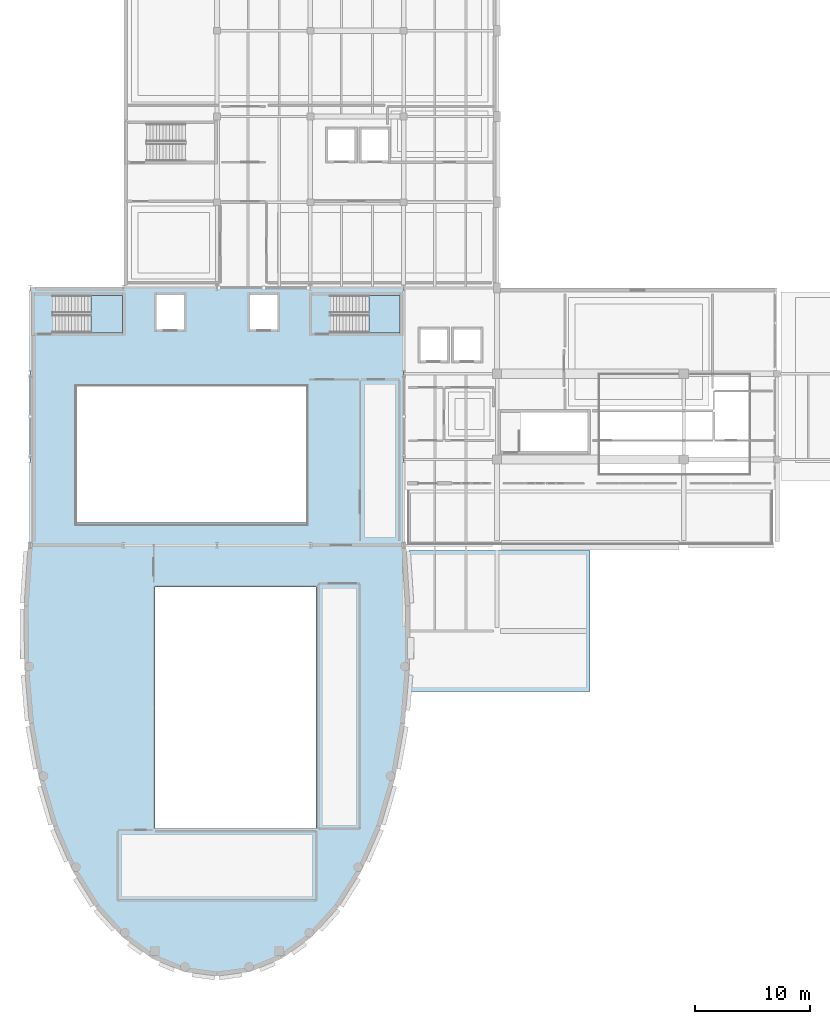
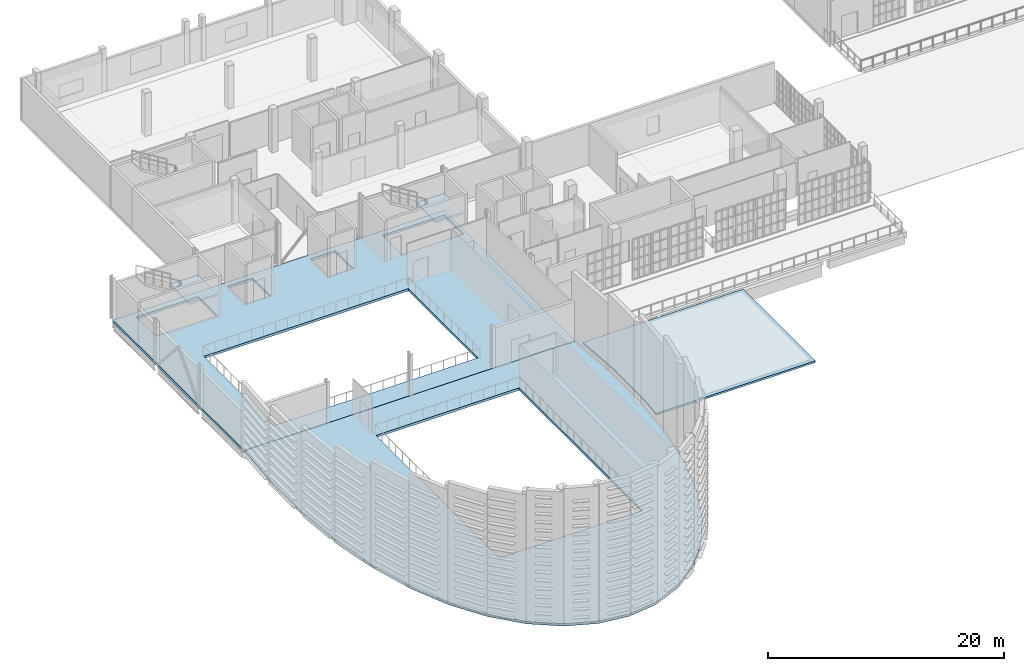
# One storey, part 34 of 56: 5 slabs, 2 elements without a shape of their own.
"""IFC4 building model written with IfcOpenShell, lengths in metres."""

from ifc_helpers import new_model, si_unit, direction, frame, origin, place, context, subcontext, project, spatial, polyline, outline, extrude, material, layer, layer_set, type_object, element, aggregate, save


model = new_model("IFC4")

# Units and contexts
model_context = context("Model", 3, precision=1e-05, world=origin(), true_north=direction((0.0, 1.0)))
body_context = subcontext(model_context, "Body", "Model", "MODEL_VIEW")
ifc_project = project(units=[si_unit("LENGTHUNIT", "METRE"), si_unit("AREAUNIT", "SQUARE_METRE"), si_unit("VOLUMEUNIT", "CUBIC_METRE"), si_unit("PLANEANGLEUNIT", "RADIAN"), si_unit("MASSUNIT", "GRAM", prefix="KILO")], contexts=[model_context])

# Site, building, storey
site_placement = place(None, origin())
site = spatial("IfcSite", under=ifc_project, at=site_placement, CompositionType="ELEMENT")
building_placement = place(site_placement, origin())
building = spatial("IfcBuilding", under=site, at=building_placement, Name="Kaelora Sail Theatre", CompositionType="ELEMENT")
storey_placement = place(building_placement, frame((0.0, 0.0, 14.699951171875)))
storey = spatial("IfcBuildingStorey", under=building, at=storey_placement, Name="L03", CompositionType="ELEMENT", Elevation=14.699951171875)

# Stair, slab
ifc_material_1 = material(Name="Concrete C40/50", Category="concrete")
stair_type = type_object("IfcStairType", Name="ARC-ST-ESC150", PredefinedType="HALF_TURN_STAIR", material=ifc_material_1)
stair_1_placement = place(storey_placement, origin())
stair_1 = element("IfcStair", 1, at=stair_1_placement, inside=storey, type_object=stair_type, Name="L03 ST-K1", PredefinedType="HALF_TURN_STAIR")
ifc_material_2 = material(Name="Concrete C40/50", Category="concrete")
ifc_layer_1 = layer(ifc_material_2, 0.219970703125)
ifc_layer_set_1 = layer_set([ifc_layer_1], Name="Concrete C40/50")
slab_type_1 = type_object("IfcSlabType", Name="ARC-SLB-LND220", PredefinedType="LANDING", material=ifc_layer_set_1)
slab_1_placement = place(storey_placement, frame((0.0, 0.0, 2.050048828125)))
slab_1 = element("IfcSlab", 2, at=slab_1_placement, type_object=slab_type_1, Name="ST-K1 landing 1", PredefinedType="LANDING", context=body_context, shape_type="SweptSolid", body=[
    extrude(outline(polyline([(31.070068359375, 79.449951171875), (33.800048828125, 79.449951171875), (33.800048828125, 82.699951171875), (31.070068359375, 82.699951171875), (31.070068359375, 79.449951171875)])), origin(), (0.0, 0.0, 1.0), 0.199951171875),
])
aggregate(stair_1, [slab_1])

stair_2_placement = place(storey_placement, origin())
stair_2 = element("IfcStair", 3, at=stair_2_placement, inside=storey, type_object=stair_type, Name="L03 ST-K5", PredefinedType="HALF_TURN_STAIR")
slab_2_placement = place(storey_placement, frame((0.0, 0.0, 2.050048828125)))
slab_2 = element("IfcSlab", 4, at=slab_2_placement, type_object=slab_type_1, Name="ST-K5 landing 1", PredefinedType="LANDING", context=body_context, shape_type="SweptSolid", body=[
    extrude(outline(polyline([(55.169921875, 79.449951171875), (57.89990234375, 79.449951171875), (57.89990234375, 82.699951171875), (55.169921875, 82.699951171875), (55.169921875, 79.449951171875)])), origin(), (0.0, 0.0, 1.0), 0.199951171875),
])
aggregate(stair_2, [slab_2])

# Slabs
ifc_material_3 = material(Name="Concrete C40/50", Category="concrete")
ifc_layer_2 = layer(ifc_material_3, 0.25)
ifc_layer_set_2 = layer_set([ifc_layer_2], Name="Concrete C40/50")
slab_type_2 = type_object("IfcSlabType", Name="STR-SLB-SL-FL250", PredefinedType="FLOOR", material=ifc_layer_set_2)
slab_3_placement = place(storey_placement, frame((0.0, 0.0, -0.25)))
element("IfcSlab", 5, at=slab_3_placement, inside=storey, type_object=slab_type_2, Name="Main Theatre floor slab (L03)", PredefinedType="FLOOR", context=body_context, shape_type="SweptSolid", body=[
    extrude(outline(polyline([(58.199951171875, 61.02001953125), (58.542236328125, 55.725830078125), (58.516845703125, 50.53955078125), (58.096435546875, 45.566650390625), (57.265625, 40.908203125), (56.02490234375, 36.6591796875), (54.390380859375, 32.906005859375), (52.395751953125, 29.725341796875), (50.090087890625, 27.181640625), (47.537109375, 25.326904296875), (44.8125, 24.198486328125), (42.0, 23.820068359375), (39.1875, 24.198486328125), (36.462890625, 25.326904296875), (33.909912109375, 27.181640625), (31.604248046875, 29.725341796875), (29.609619140625, 32.906005859375), (27.97509765625, 36.6591796875), (26.734375, 40.908203125), (25.903564453125, 45.566650390625), (25.483154296875, 50.53955078125), (25.457763671875, 55.725830078125), (25.800048828125, 61.02001953125), (58.199951171875, 61.02001953125)]), holes=[polyline([(36.60009765625, 36.5), (50.60009765625, 36.5), (50.60009765625, 57.39990234375), (36.60009765625, 57.39990234375), (36.60009765625, 36.5)])]), origin(), (0.0, 0.0, 1.0), 0.25),
])
slab_4_placement = place(storey_placement, frame((0.0, 0.0, -0.25)))
element("IfcSlab", 6, at=slab_4_placement, inside=storey, type_object=slab_type_2, Name="Fly Tower stage/gallery slab (L03)", PredefinedType="FLOOR", context=body_context, shape_type="SweptSolid", body=[
    extrude(outline(polyline([(25.800048828125, 61.034912109375), (58.199951171875, 61.034912109375), (58.199951171875, 83.324951171875), (25.800048828125, 83.324951171875), (25.800048828125, 61.034912109375)]), holes=[polyline([(27.7548828125, 79.449951171875), (33.800048828125, 79.449951171875), (33.800048828125, 82.699951171875), (27.7548828125, 82.699951171875), (27.7548828125, 79.449951171875)]), polyline([(51.85498046875, 79.449951171875), (57.89990234375, 79.449951171875), (57.89990234375, 82.699951171875), (51.85498046875, 82.699951171875), (51.85498046875, 79.449951171875)]), polyline([(36.75, 79.75), (39.14990234375, 79.75), (39.14990234375, 82.75), (36.75, 82.75), (36.75, 79.75)]), polyline([(44.85009765625, 79.75), (47.25, 79.75), (47.25, 82.75), (44.85009765625, 82.75), (44.85009765625, 79.75)]), polyline([(29.800048828125, 63.0), (49.800048828125, 63.0), (49.800048828125, 74.800048828125), (29.800048828125, 74.800048828125), (29.800048828125, 63.0)])]), origin(), (0.0, 0.0, 1.0), 0.25),
])
ifc_material_4 = material(Name="Concrete C40/50", Category="concrete")
ifc_layer_3 = layer(ifc_material_4, 0.195068359375)
ifc_layer_set_3 = layer_set([ifc_layer_3], Name="Concrete C40/50")
slab_type_3 = type_object("IfcSlabType", Name="STR-SLB-SL-RF195", PredefinedType="ROOF", material=ifc_layer_set_3)
slab_5_placement = place(storey_placement, frame((0.0, 0.0, -0.195068359375)))
element("IfcSlab", 7, at=slab_5_placement, inside=storey, type_object=slab_type_3, Name="Flat wing roof slab RF-FI-WEST", PredefinedType="ROOF", context=body_context, shape_type="SweptSolid", body=[
    extrude(outline(polyline([(74.3701171875, 60.550048828125), (74.3701171875, 48.320068359375), (58.750732421875, 48.320068359375), (58.93701171875, 50.53759765625), (58.962158203125, 55.723876953125), (58.6513671875, 60.550048828125), (74.3701171875, 60.550048828125)])), origin(), (0.0, 0.0, 1.0), 0.195068359375),
])

save(model, "model.ifc")
